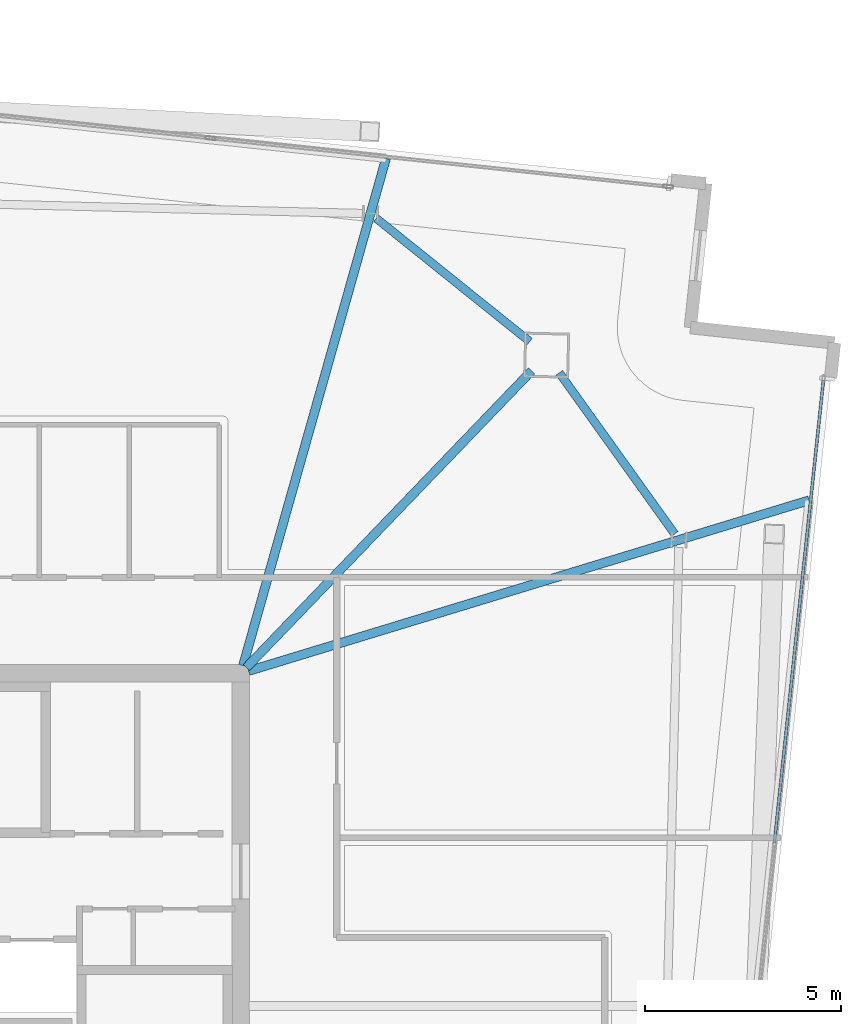
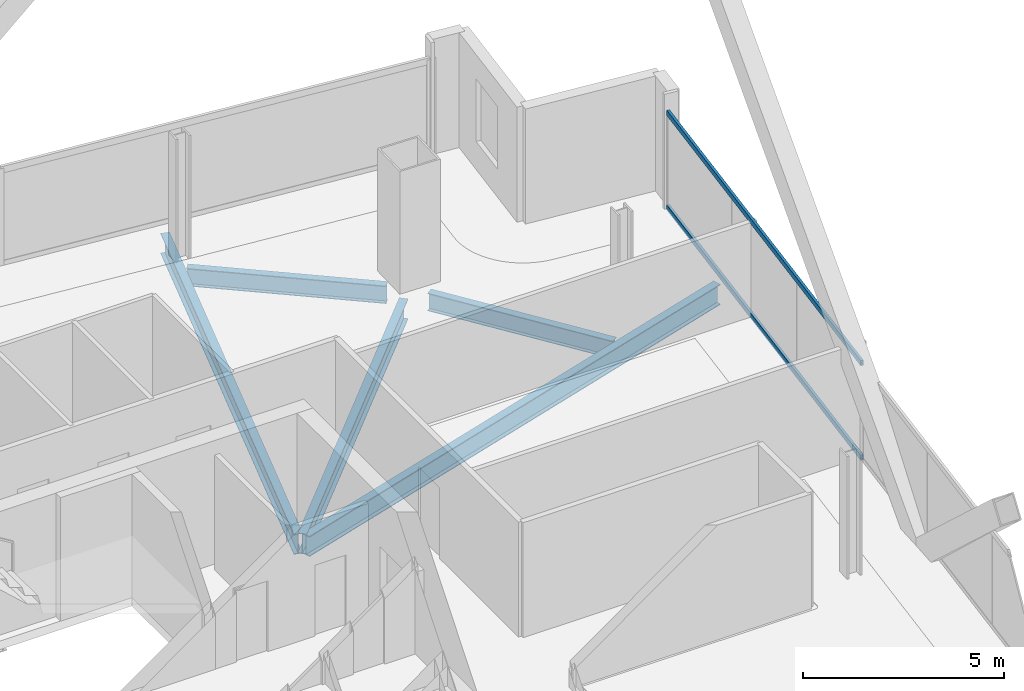
# One storey, part 16 of 24: 5 beams, 2 members, 1 element without a shape of its own.
"""IFC4 building model written with IfcOpenShell, lengths in metres."""

from ifc_helpers import new_model, si_unit, direction, frame, origin, origin_2d, place, context, subcontext, project, spatial, hollow_rectangle, i_section, extrude, material, material_profile, profile_set, type_object, element, aggregate, save


model = new_model("IFC4")

# Units and contexts
model_context = context("Model", 3, precision=1e-05, world=origin(), true_north=direction((0.0, 1.0)))
body_context = subcontext(model_context, "Body", "Model", "MODEL_VIEW")
ifc_project = project(units=[si_unit("LENGTHUNIT", "METRE"), si_unit("AREAUNIT", "SQUARE_METRE"), si_unit("VOLUMEUNIT", "CUBIC_METRE"), si_unit("PLANEANGLEUNIT", "RADIAN"), si_unit("MASSUNIT", "GRAM", prefix="KILO")], contexts=[model_context])

# Site, building, storey
site_placement = place(None, origin())
site = spatial("IfcSite", under=ifc_project, at=site_placement, CompositionType="ELEMENT")
building_placement = place(site_placement, origin())
building = spatial("IfcBuilding", under=site, at=building_placement, Name="Haldenkirk Collegiate Tower", CompositionType="ELEMENT")
storey_placement = place(building_placement, frame((0.0, 0.0, 310.199951171875)))
storey = spatial("IfcBuildingStorey", under=building, at=storey_placement, Name="L78", CompositionType="ELEMENT", Elevation=310.199951171875)

# Beams
ifc_material_1 = material(Name="Steel ASTM A992 Grade 50", Category="steel")
ifc_material_profile_1 = material_profile(ifc_material_1, i_section(OverallWidth=0.22998046875, OverallDepth=0.616943359375, WebThickness=0.01318359375, FlangeThickness=0.022216796875, at=origin_2d()), Name="W24X94")
ifc_profile_set_1 = profile_set([ifc_material_profile_1], Name="Steel ASTM A992 Grade 50")
beam_type_1 = type_object("IfcBeamType", Name="BM-GIRDER-W24X94", PredefinedType="BEAM", material=ifc_profile_set_1)
beam_1_placement = place(storey_placement, frame((52.428955078125, 41.7294921875, -0.568359375), z_axis=(-0.692944915375, -0.720990529935, 0.0), x_axis=(0.720990529935, -0.692944915375, 0.0)))
element("IfcBeam", 1, at=beam_1_placement, inside=storey, type_object=beam_type_1, Name="L78 primary floor girder 02", PredefinedType="BEAM", context=body_context, shape_type="SweptSolid", body=[
    extrude(i_section(OverallWidth=0.22998046875, OverallDepth=0.616943359375, WebThickness=0.01318359375, FlangeThickness=0.022216796875, at=origin_2d()), origin(), (0.0, 0.0, 1.0), 10.515869140625),
])
beam_2_placement = place(storey_placement, frame((59.52001953125, 38.4208984375, -0.568359375), z_axis=(-0.956643860191, -0.291260235459, 0.0), x_axis=(0.291260235459, -0.956643860191, 0.0)))
element("IfcBeam", 2, at=beam_2_placement, inside=storey, type_object=beam_type_1, Name="L78 primary floor girder 07", PredefinedType="BEAM", context=body_context, shape_type="SweptSolid", body=[
    extrude(i_section(OverallWidth=0.22998046875, OverallDepth=0.616943359375, WebThickness=0.01318359375, FlangeThickness=0.022216796875, at=origin_2d()), origin(), (0.0, 0.0, 1.0), 14.97314453125),
])
beam_3_placement = place(storey_placement, frame((48.710205078125, 47.158203125, -0.568359375), z_axis=(-0.271383946427, -0.962471170281, 0.0), x_axis=(0.962471170281, -0.271383946427, 0.0)))
element("IfcBeam", 3, at=beam_3_placement, inside=storey, type_object=beam_type_1, Name="L78 primary floor girder 08", PredefinedType="BEAM", context=body_context, shape_type="SweptSolid", body=[
    extrude(i_section(OverallWidth=0.22998046875, OverallDepth=0.616943359375, WebThickness=0.01318359375, FlangeThickness=0.022216796875, at=origin_2d()), origin(), (0.0, 0.0, 1.0), 13.46630859375),
])
ifc_material_profile_2 = material_profile(ifc_material_1, i_section(OverallWidth=0.2099609375, OverallDepth=0.537109375, WebThickness=0.010986328125, FlangeThickness=0.017333984375, at=origin_2d()), Name="W21X68")
ifc_profile_set_2 = profile_set([ifc_material_profile_2], Name="Steel ASTM A992 Grade 50")
beam_type_2 = type_object("IfcBeamType", Name="BM-SPANDREL-W21X68", PredefinedType="SPANDREL", material=ifc_profile_set_2)
beam_4_placement = place(storey_placement, frame((56.085693359375, 37.561279296875, -0.528564453125), z_axis=(-0.582300220922, 0.812973832737, 0.0), x_axis=(-0.812973832737, -0.582300220922, 0.0)))
element("IfcBeam", 4, at=beam_4_placement, inside=storey, type_object=beam_type_2, Name="L78 perimeter spandrel beam 04", PredefinedType="SPANDREL", context=body_context, shape_type="SweptSolid", body=[
    extrude(i_section(OverallWidth=0.2099609375, OverallDepth=0.537109375, WebThickness=0.010986328125, FlangeThickness=0.017333984375, at=origin_2d()), origin(), (0.0, 0.0, 1.0), 5.064453125),
])
beam_5_placement = place(storey_placement, frame((52.380859375, 42.477294921875, -0.528564453125), z_axis=(-0.779721728928, 0.626126205678, 0.0), x_axis=(-0.626126205678, -0.779721728928, 0.0)))
element("IfcBeam", 5, at=beam_5_placement, inside=storey, type_object=beam_type_2, Name="L78 perimeter spandrel beam 05", PredefinedType="SPANDREL", context=body_context, shape_type="SweptSolid", body=[
    extrude(i_section(OverallWidth=0.2099609375, OverallDepth=0.537109375, WebThickness=0.010986328125, FlangeThickness=0.017333984375, at=origin_2d()), origin(), (0.0, 0.0, 1.0), 5.03076171875),
])

# Curtain wall, members
ifc_material_2 = material(Name="Anodised architectural bronze aluminium", Category="aluminium")
curtain_wall_type = type_object("IfcCurtainWallType", Name="CW-SYS2-CONCAVE", PredefinedType="USERDEFINED", material=ifc_material_2)
curtain_wall_placement = place(storey_placement, origin())
curtain_wall = element("IfcCurtainWall", 6, at=curtain_wall_placement, inside=storey, type_object=curtain_wall_type, Name="L78 South concave recessed bronze-anodised curtain wall", ObjectType="UNITISED CURTAIN WALL", PredefinedType="USERDEFINED")
ifc_material_profile_3 = material_profile(ifc_material_2, hollow_rectangle(XDim=0.074951171875, YDim=0.159912109375, WallThickness=0.0048828125, at=origin_2d()), Name="CW-TRN-02")
ifc_profile_set_3 = profile_set([ifc_material_profile_3], Name="Anodised architectural bronze aluminium")
member_type = type_object("IfcMemberType", Name="CW-TRN-02", PredefinedType="USERDEFINED", material=ifc_profile_set_3)
member_1_placement = place(storey_placement, frame((59.885986328125, 41.493896484375, 0.03759765625), z_axis=(-0.105398902925, -0.994430023311, 0.0), x_axis=(0.994430023311, -0.105398902925, 0.0)))
member_1 = element("IfcMember", 7, at=member_1_placement, type_object=member_type, Name="CW-02 transom 1.1", ObjectType="TRANSOM", PredefinedType="USERDEFINED", context=body_context, shape_type="SweptSolid", body=[
    extrude(hollow_rectangle(XDim=0.074951171875, YDim=0.159912109375, WallThickness=0.0048828125, at=origin_2d()), origin(), (0.0, 0.0, 1.0), 11.887451171875),
])
member_2_placement = place(storey_placement, frame((59.885986328125, 41.493896484375, 2.91064453125), z_axis=(-0.105398902925, -0.994430023311, 0.0), x_axis=(0.994430023311, -0.105398902925, 0.0)))
member_2 = element("IfcMember", 8, at=member_2_placement, type_object=member_type, Name="CW-02 transom 1.2", ObjectType="TRANSOM", PredefinedType="USERDEFINED", context=body_context, shape_type="SweptSolid", body=[
    extrude(hollow_rectangle(XDim=0.074951171875, YDim=0.159912109375, WallThickness=0.0048828125, at=origin_2d()), origin(), (0.0, 0.0, 1.0), 11.887451171875),
])
aggregate(curtain_wall, [member_1, member_2])

save(model, "model.ifc")
